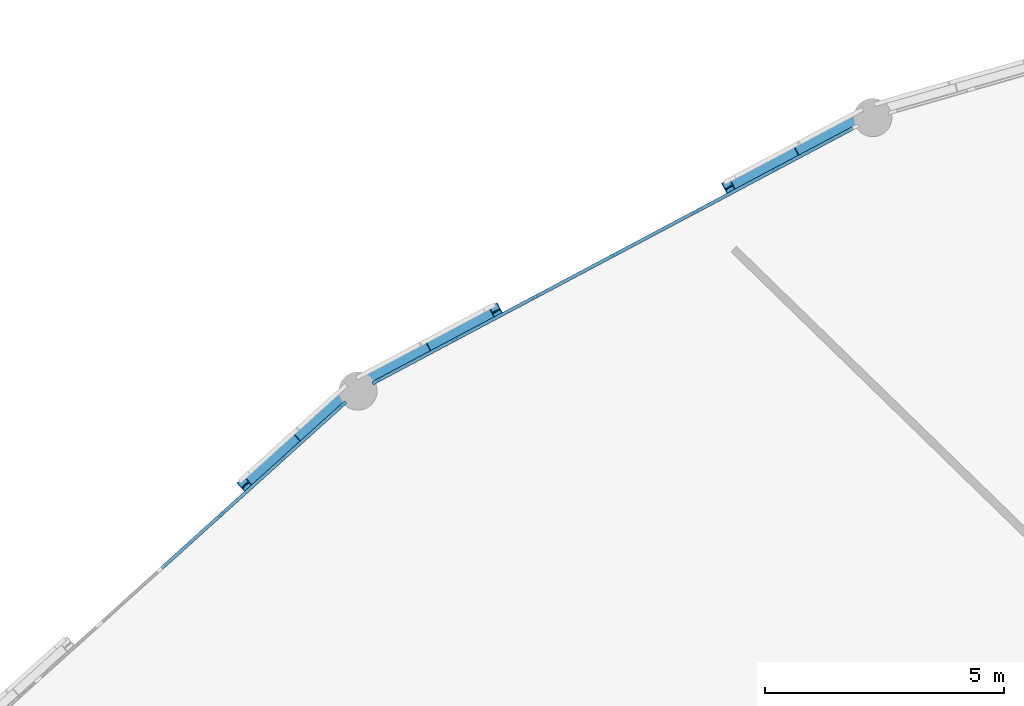
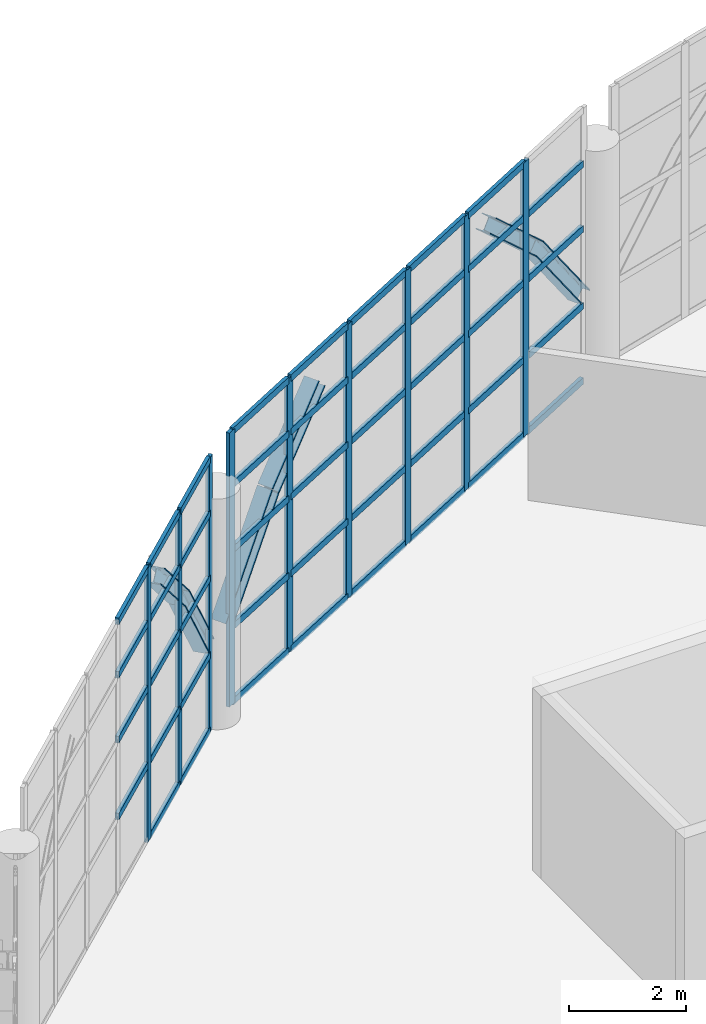
# One storey, part 37 of 109: 52 members, 6 beams, 2 elements without a shape of their own.
"""IFC4 building model written with IfcOpenShell, lengths in metres."""

from ifc_helpers import new_model, si_unit, direction, frame, origin, origin_2d, place, context, subcontext, project, spatial, rectangle, i_section, extrude, material, layer, layer_set, material_profile, profile_set, type_object, element, aggregate, save


model = new_model("IFC4")

# Units and contexts
model_context = context("Model", 3, precision=1e-05, world=origin(), true_north=direction((0.0, 1.0)))
body_context = subcontext(model_context, "Body", "Model", "MODEL_VIEW")
ifc_project = project(units=[si_unit("LENGTHUNIT", "METRE"), si_unit("AREAUNIT", "SQUARE_METRE"), si_unit("VOLUMEUNIT", "CUBIC_METRE"), si_unit("PLANEANGLEUNIT", "RADIAN"), si_unit("MASSUNIT", "GRAM", prefix="KILO")], contexts=[model_context])

# Site, building, storey
site_placement = place(None, origin())
site = spatial("IfcSite", under=ifc_project, at=site_placement, CompositionType="ELEMENT")
building_placement = place(site_placement, origin())
building = spatial("IfcBuilding", under=site, at=building_placement, Name="Kivolera Central Railway Station", CompositionType="ELEMENT")
storey_placement = place(building_placement, frame((0.0, 0.0, 9.60009765625)))
storey = spatial("IfcBuildingStorey", under=building, at=storey_placement, Name="L02", CompositionType="ELEMENT", Elevation=9.60009765625)

# Beams
ifc_material_1 = material(Name="Steel S355", Category="steel")
ifc_material_profile_1 = material_profile(ifc_material_1, i_section(OverallWidth=0.300048828125, OverallDepth=0.300048828125, WebThickness=0.010986328125, FlangeThickness=0.01904296875, FilletRadius=0.027099609375, at=origin_2d()), Name="HEB 300")
ifc_profile_set_1 = profile_set([ifc_material_profile_1], Name="Steel S355")
beam_type = type_object("IfcBeamType", Name="BM-LANT-ARCH", PredefinedType="SPANDREL", material=ifc_profile_set_1)
beam_1_placement = place(storey_placement, frame((37.6298828125, 121.115966796875, 1.699951171875), z_axis=(-0.545509681166, -0.289732540923, 0.786431333611), x_axis=(0.469067500221, -0.88316231817, 0.0)))
element("IfcBeam", 1, at=beam_1_placement, inside=storey, type_object=beam_type, Name="Oval Lantern Structural Arch Rib 09.1", PredefinedType="SPANDREL", context=body_context, shape_type="SweptSolid", body=[
    extrude(i_section(OverallWidth=0.300048828125, OverallDepth=0.300048828125, WebThickness=0.010986328125, FlangeThickness=0.01904296875, FilletRadius=0.027099609375, at=origin_2d()), origin(), (0.0, 0.0, 1.0), 2.415771484375),
])
beam_2_placement = place(storey_placement, frame((36.31201171875, 120.416015625, 3.599853515625), z_axis=(-0.65306159566, -0.346534813022, 0.673367786308), x_axis=(0.468728824497, -0.883342113275, 0.0)))
element("IfcBeam", 2, at=beam_2_placement, inside=storey, type_object=beam_type, Name="Oval Lantern Structural Arch Rib 09.2", PredefinedType="SPANDREL", context=body_context, shape_type="SweptSolid", body=[
    extrude(i_section(OverallWidth=0.300048828125, OverallDepth=0.300048828125, WebThickness=0.010986328125, FlangeThickness=0.01904296875, FilletRadius=0.027099609375, at=origin_2d()), origin(), (0.0, 0.0, 1.0), 2.019775390625),
])
beam_3_placement = place(storey_placement, frame((30.1240234375, 117.12890625, 4.9599609375), z_axis=(-0.652784182999, -0.346644240166, -0.673580419242), x_axis=(0.468999731448, -0.883198308367, 0.0)))
element("IfcBeam", 3, at=beam_3_placement, inside=storey, type_object=beam_type, Name="Oval Lantern Structural Arch Rib 09.5", PredefinedType="SPANDREL", context=body_context, shape_type="SweptSolid", body=[
    extrude(i_section(OverallWidth=0.300048828125, OverallDepth=0.300048828125, WebThickness=0.010986328125, FlangeThickness=0.01904296875, FilletRadius=0.027099609375, at=origin_2d()), origin(), (0.0, 0.0, 1.0), 2.019287109375),
])
beam_4_placement = place(storey_placement, frame((28.805908203125, 116.428955078125, 3.599853515625), z_axis=(-0.545793526842, -0.289668648918, -0.786257909271), x_axis=(0.468796526023, -0.883306185413, 0.0)))
element("IfcBeam", 4, at=beam_4_placement, inside=storey, type_object=beam_type, Name="Oval Lantern Structural Arch Rib 09.6", PredefinedType="SPANDREL", context=body_context, shape_type="SweptSolid", body=[
    extrude(i_section(OverallWidth=0.300048828125, OverallDepth=0.300048828125, WebThickness=0.010986328125, FlangeThickness=0.01904296875, FilletRadius=0.027099609375, at=origin_2d()), origin(), (0.0, 0.0, 1.0), 2.41650390625),
])
beam_5_placement = place(storey_placement, frame((26.885986328125, 115.306884765625, 1.699951171875), z_axis=(-0.431185404632, -0.388705114828, 0.814240431653), x_axis=(0.669571929078, -0.742747219309, 0.0)))
element("IfcBeam", 5, at=beam_5_placement, inside=storey, type_object=beam_type, Name="Oval Lantern Structural Arch Rib 10.1", PredefinedType="SPANDREL", context=body_context, shape_type="SweptSolid", body=[
    extrude(i_section(OverallWidth=0.300048828125, OverallDepth=0.300048828125, WebThickness=0.010986328125, FlangeThickness=0.01904296875, FilletRadius=0.027099609375, at=origin_2d()), origin(), (0.0, 0.0, 1.0), 2.333251953125),
])
beam_6_placement = place(storey_placement, frame((25.8798828125, 114.39990234375, 3.599853515625), z_axis=(-0.523541860039, -0.473044746716, 0.708613144382), x_axis=(0.670417548864, -0.741984036334, 0.0)))
element("IfcBeam", 6, at=beam_6_placement, inside=storey, type_object=beam_type, Name="Oval Lantern Structural Arch Rib 10.2", PredefinedType="SPANDREL", context=body_context, shape_type="SweptSolid", body=[
    extrude(i_section(OverallWidth=0.300048828125, OverallDepth=0.300048828125, WebThickness=0.010986328125, FlangeThickness=0.01904296875, FilletRadius=0.027099609375, at=origin_2d()), origin(), (0.0, 0.0, 1.0), 1.91943359375),
])

# Curtain wall, members
ifc_material_2 = material(Name="Anodised aluminium", Category="aluminium")
ifc_layer_1 = layer(ifc_material_2, 0.179931640625, Name="Anodised aluminium")
ifc_layer_set_1 = layer_set([ifc_layer_1], Name="Anodised aluminium")
curtain_wall_type_1 = type_object("IfcCurtainWallType", Name="CW-SYS-09", PredefinedType="NOTDEFINED", material=ifc_layer_set_1)
curtain_wall_1_placement = place(storey_placement, origin())
curtain_wall_1 = element("IfcCurtainWall", 7, at=curtain_wall_1_placement, inside=storey, type_object=curtain_wall_type_1, Name="L02 Curtain Wall CW-L02-OVL-08", PredefinedType="NOTDEFINED")
ifc_material_profile_2 = material_profile(ifc_material_2, rectangle(XDim=0.070068359375, YDim=0.179931640625, at=origin_2d()), Name="ALU MULL 70x180")
ifc_profile_set_2 = profile_set([ifc_material_profile_2], Name="Anodised aluminium")
member_type_1 = type_object("IfcMemberType", Name="CWM-MUL-1", PredefinedType="MULLION", material=ifc_profile_set_2)
member_1_placement = place(storey_placement, frame((27.614013671875, 115.660400390625, -0.005126953125), z_axis=(0.0, 0.0, 1.0), x_axis=(-0.469052563023, 0.883170251493, 0.0)))
member_1 = element("IfcMember", 8, at=member_1_placement, type_object=member_type_1, Name="CW-09 mullion 1", PredefinedType="MULLION", context=body_context, shape_type="SweptSolid", body=[
    extrude(rectangle(XDim=0.070068359375, YDim=0.179931640625, at=origin_2d()), origin(), (0.0, 0.0, 1.0), 5.705078125),
])
member_2_placement = place(storey_placement, frame((29.26025390625, 116.534912109375, -0.005126953125), z_axis=(0.0, 0.0, 1.0), x_axis=(-0.469052563023, 0.883170251493, 0.0)))
member_2 = element("IfcMember", 9, at=member_2_placement, type_object=member_type_1, Name="CW-09 mullion 2", PredefinedType="MULLION", context=body_context, shape_type="SweptSolid", body=[
    extrude(rectangle(XDim=0.070068359375, YDim=0.179931640625, at=origin_2d()), origin(), (0.0, 0.0, 1.0), 5.705078125),
])
member_3_placement = place(storey_placement, frame((30.937744140625, 117.42578125, -0.005126953125), z_axis=(0.0, 0.0, 1.0), x_axis=(-0.469052563023, 0.883170251493, 0.0)))
member_3 = element("IfcMember", 10, at=member_3_placement, type_object=member_type_1, Name="CW-09 mullion 3", PredefinedType="MULLION", context=body_context, shape_type="SweptSolid", body=[
    extrude(rectangle(XDim=0.070068359375, YDim=0.179931640625, at=origin_2d()), origin(), (0.0, 0.0, 1.0), 5.705078125),
])
member_4_placement = place(storey_placement, frame((32.614990234375, 118.31640625, -0.005126953125), z_axis=(0.0, 0.0, 1.0), x_axis=(-0.469052563023, 0.883170251493, 0.0)))
member_4 = element("IfcMember", 11, at=member_4_placement, type_object=member_type_1, Name="CW-09 mullion 4", PredefinedType="MULLION", context=body_context, shape_type="SweptSolid", body=[
    extrude(rectangle(XDim=0.070068359375, YDim=0.179931640625, at=origin_2d()), origin(), (0.0, 0.0, 1.0), 5.705078125),
])
member_5_placement = place(storey_placement, frame((34.292236328125, 119.207275390625, -0.005126953125), z_axis=(0.0, 0.0, 1.0), x_axis=(-0.469052563023, 0.883170251493, 0.0)))
member_5 = element("IfcMember", 12, at=member_5_placement, type_object=member_type_1, Name="CW-09 mullion 5", PredefinedType="MULLION", context=body_context, shape_type="SweptSolid", body=[
    extrude(rectangle(XDim=0.070068359375, YDim=0.179931640625, at=origin_2d()), origin(), (0.0, 0.0, 1.0), 5.705078125),
])
member_6_placement = place(storey_placement, frame((35.9697265625, 120.09814453125, -0.005126953125), z_axis=(0.0, 0.0, 1.0), x_axis=(-0.469052563023, 0.883170251493, 0.0)))
member_6 = element("IfcMember", 13, at=member_6_placement, type_object=member_type_1, Name="CW-09 mullion 6", PredefinedType="MULLION", context=body_context, shape_type="SweptSolid", body=[
    extrude(rectangle(XDim=0.070068359375, YDim=0.179931640625, at=origin_2d()), origin(), (0.0, 0.0, 1.0), 5.705078125),
])

ifc_layer_2 = layer(ifc_material_2, 0.179931640625, Name="Anodised aluminium")
ifc_layer_set_2 = layer_set([ifc_layer_2], Name="Anodised aluminium")
curtain_wall_type_2 = type_object("IfcCurtainWallType", Name="CW-SYS-06", PredefinedType="NOTDEFINED", material=ifc_layer_set_2)
curtain_wall_2_placement = place(storey_placement, origin())
curtain_wall_2 = element("IfcCurtainWall", 14, at=curtain_wall_2_placement, inside=storey, type_object=curtain_wall_type_2, Name="L02 Curtain Wall CW-L02-OVL-09", PredefinedType="NOTDEFINED")
member_7_placement = place(storey_placement, frame((24.376708984375, 112.88134765625, -0.005126953125), z_axis=(0.0, 0.0, 1.0), x_axis=(-0.66992157428, 0.742431871833, 0.0)))
member_7 = element("IfcMember", 15, at=member_7_placement, type_object=member_type_1, Name="CW-06 mullion 5", PredefinedType="MULLION", context=body_context, shape_type="SweptSolid", body=[
    extrude(rectangle(XDim=0.070068359375, YDim=0.179931640625, at=origin_2d()), origin(), (0.0, 0.0, 1.0), 5.705078125),
])
member_8_placement = place(storey_placement, frame((25.65478515625, 114.03466796875, -0.005126953125), z_axis=(0.0, 0.0, 1.0), x_axis=(-0.66992157428, 0.742431871833, 0.0)))
member_8 = element("IfcMember", 16, at=member_8_placement, type_object=member_type_1, Name="CW-06 mullion 6", PredefinedType="MULLION", context=body_context, shape_type="SweptSolid", body=[
    extrude(rectangle(XDim=0.070068359375, YDim=0.179931640625, at=origin_2d()), origin(), (0.0, 0.0, 1.0), 5.705078125),
])
member_9_placement = place(storey_placement, frame((26.906982421875, 115.16455078125, -0.005126953125), z_axis=(0.0, 0.0, 1.0), x_axis=(-0.66992157428, 0.742431871833, 0.0)))
member_9 = element("IfcMember", 17, at=member_9_placement, type_object=member_type_1, Name="CW-06 mullion 7", PredefinedType="MULLION", context=body_context, shape_type="SweptSolid", body=[
    extrude(rectangle(XDim=0.070068359375, YDim=0.179931640625, at=origin_2d()), origin(), (0.0, 0.0, 1.0), 5.705078125),
])

# Member
ifc_material_profile_3 = material_profile(ifc_material_2, rectangle(XDim=0.070068359375, YDim=0.139892578125, at=origin_2d()), Name="ALU TRAN 70x140")
ifc_profile_set_3 = profile_set([ifc_material_profile_3], Name="Anodised aluminium")
member_type_2 = type_object("IfcMemberType", Name="CWM-TRN-1", PredefinedType="USERDEFINED", material=ifc_profile_set_3)
member_10_placement = place(storey_placement, frame((27.644775390625, 115.6767578125, 0.034912109375), z_axis=(0.883191460259, 0.469012627255, 0.0), x_axis=(-0.469012627255, 0.883191460259, 0.0)))
member_10 = element("IfcMember", 18, at=member_10_placement, type_object=member_type_2, Name="CW-09 transom 1.1", ObjectType="TRANSOM", PredefinedType="USERDEFINED", context=body_context, shape_type="SweptSolid", body=[
    extrude(rectangle(XDim=0.070068359375, YDim=0.139892578125, at=origin_2d()), origin(), (0.0, 0.0, 1.0), 1.794189453125),
])

member_11_placement = place(storey_placement, frame((27.644775390625, 115.6767578125, 1.599853515625), z_axis=(0.883191460259, 0.469012627255, 0.0), x_axis=(-0.469012627255, 0.883191460259, 0.0)))
member_11 = element("IfcMember", 19, at=member_11_placement, type_object=member_type_2, Name="CW-09 transom 1.2", ObjectType="TRANSOM", PredefinedType="USERDEFINED", context=body_context, shape_type="SweptSolid", body=[
    extrude(rectangle(XDim=0.070068359375, YDim=0.139892578125, at=origin_2d()), origin(), (0.0, 0.0, 1.0), 1.794189453125),
])

member_12_placement = place(storey_placement, frame((27.644775390625, 115.6767578125, 3.199951171875), z_axis=(0.883191460259, 0.469012627255, 0.0), x_axis=(-0.469012627255, 0.883191460259, 0.0)))
member_12 = element("IfcMember", 20, at=member_12_placement, type_object=member_type_2, Name="CW-09 transom 1.3", ObjectType="TRANSOM", PredefinedType="USERDEFINED", context=body_context, shape_type="SweptSolid", body=[
    extrude(rectangle(XDim=0.070068359375, YDim=0.139892578125, at=origin_2d()), origin(), (0.0, 0.0, 1.0), 1.794189453125),
])

member_13_placement = place(storey_placement, frame((27.644775390625, 115.6767578125, 4.5498046875), z_axis=(0.883191460259, 0.469012627255, 0.0), x_axis=(-0.469012627255, 0.883191460259, 0.0)))
member_13 = element("IfcMember", 21, at=member_13_placement, type_object=member_type_2, Name="CW-09 transom 1.4", ObjectType="TRANSOM", PredefinedType="USERDEFINED", context=body_context, shape_type="SweptSolid", body=[
    extrude(rectangle(XDim=0.070068359375, YDim=0.139892578125, at=origin_2d()), origin(), (0.0, 0.0, 1.0), 1.794189453125),
])

member_14_placement = place(storey_placement, frame((27.644775390625, 115.6767578125, 5.664794921875), z_axis=(0.883191460259, 0.469012627255, 0.0), x_axis=(-0.469012627255, 0.883191460259, 0.0)))
member_14 = element("IfcMember", 22, at=member_14_placement, type_object=member_type_2, Name="CW-09 transom 1.5", ObjectType="TRANSOM", PredefinedType="USERDEFINED", context=body_context, shape_type="SweptSolid", body=[
    extrude(rectangle(XDim=0.070068359375, YDim=0.139892578125, at=origin_2d()), origin(), (0.0, 0.0, 1.0), 1.794189453125),
])

member_15_placement = place(storey_placement, frame((29.291259765625, 116.55126953125, 0.034912109375), z_axis=(0.88318656257, 0.469021849913, 0.0), x_axis=(-0.469021849913, 0.88318656257, 0.0)))
member_15 = element("IfcMember", 23, at=member_15_placement, type_object=member_type_2, Name="CW-09 transom 2.1", ObjectType="TRANSOM", PredefinedType="USERDEFINED", context=body_context, shape_type="SweptSolid", body=[
    extrude(rectangle(XDim=0.070068359375, YDim=0.139892578125, at=origin_2d()), origin(), (0.0, 0.0, 1.0), 1.8291015625),
])

member_16_placement = place(storey_placement, frame((29.291259765625, 116.55126953125, 1.599853515625), z_axis=(0.88318656257, 0.469021849913, 0.0), x_axis=(-0.469021849913, 0.88318656257, 0.0)))
member_16 = element("IfcMember", 24, at=member_16_placement, type_object=member_type_2, Name="CW-09 transom 2.2", ObjectType="TRANSOM", PredefinedType="USERDEFINED", context=body_context, shape_type="SweptSolid", body=[
    extrude(rectangle(XDim=0.070068359375, YDim=0.139892578125, at=origin_2d()), origin(), (0.0, 0.0, 1.0), 1.8291015625),
])

member_17_placement = place(storey_placement, frame((29.291259765625, 116.55126953125, 3.199951171875), z_axis=(0.88318656257, 0.469021849913, 0.0), x_axis=(-0.469021849913, 0.88318656257, 0.0)))
member_17 = element("IfcMember", 25, at=member_17_placement, type_object=member_type_2, Name="CW-09 transom 2.3", ObjectType="TRANSOM", PredefinedType="USERDEFINED", context=body_context, shape_type="SweptSolid", body=[
    extrude(rectangle(XDim=0.070068359375, YDim=0.139892578125, at=origin_2d()), origin(), (0.0, 0.0, 1.0), 1.8291015625),
])

member_18_placement = place(storey_placement, frame((29.291259765625, 116.55126953125, 4.5498046875), z_axis=(0.88318656257, 0.469021849913, 0.0), x_axis=(-0.469021849913, 0.88318656257, 0.0)))
member_18 = element("IfcMember", 26, at=member_18_placement, type_object=member_type_2, Name="CW-09 transom 2.4", ObjectType="TRANSOM", PredefinedType="USERDEFINED", context=body_context, shape_type="SweptSolid", body=[
    extrude(rectangle(XDim=0.070068359375, YDim=0.139892578125, at=origin_2d()), origin(), (0.0, 0.0, 1.0), 1.8291015625),
])

member_19_placement = place(storey_placement, frame((29.291259765625, 116.55126953125, 5.664794921875), z_axis=(0.88318656257, 0.469021849913, 0.0), x_axis=(-0.469021849913, 0.88318656257, 0.0)))
member_19 = element("IfcMember", 27, at=member_19_placement, type_object=member_type_2, Name="CW-09 transom 2.5", ObjectType="TRANSOM", PredefinedType="USERDEFINED", context=body_context, shape_type="SweptSolid", body=[
    extrude(rectangle(XDim=0.070068359375, YDim=0.139892578125, at=origin_2d()), origin(), (0.0, 0.0, 1.0), 1.8291015625),
])

member_20_placement = place(storey_placement, frame((30.968505859375, 117.442138671875, 0.034912109375), z_axis=(0.88318656257, 0.469021849913, 0.0), x_axis=(-0.469021849913, 0.88318656257, 0.0)))
member_20 = element("IfcMember", 28, at=member_20_placement, type_object=member_type_2, Name="CW-09 transom 3.1", ObjectType="TRANSOM", PredefinedType="USERDEFINED", context=body_context, shape_type="SweptSolid", body=[
    extrude(rectangle(XDim=0.070068359375, YDim=0.139892578125, at=origin_2d()), origin(), (0.0, 0.0, 1.0), 1.8291015625),
])

member_21_placement = place(storey_placement, frame((30.968505859375, 117.442138671875, 1.599853515625), z_axis=(0.88318656257, 0.469021849913, 0.0), x_axis=(-0.469021849913, 0.88318656257, 0.0)))
member_21 = element("IfcMember", 29, at=member_21_placement, type_object=member_type_2, Name="CW-09 transom 3.2", ObjectType="TRANSOM", PredefinedType="USERDEFINED", context=body_context, shape_type="SweptSolid", body=[
    extrude(rectangle(XDim=0.070068359375, YDim=0.139892578125, at=origin_2d()), origin(), (0.0, 0.0, 1.0), 1.8291015625),
])

member_22_placement = place(storey_placement, frame((30.968505859375, 117.442138671875, 3.199951171875), z_axis=(0.88318656257, 0.469021849913, 0.0), x_axis=(-0.469021849913, 0.88318656257, 0.0)))
member_22 = element("IfcMember", 30, at=member_22_placement, type_object=member_type_2, Name="CW-09 transom 3.3", ObjectType="TRANSOM", PredefinedType="USERDEFINED", context=body_context, shape_type="SweptSolid", body=[
    extrude(rectangle(XDim=0.070068359375, YDim=0.139892578125, at=origin_2d()), origin(), (0.0, 0.0, 1.0), 1.8291015625),
])

member_23_placement = place(storey_placement, frame((30.968505859375, 117.442138671875, 4.5498046875), z_axis=(0.88318656257, 0.469021849913, 0.0), x_axis=(-0.469021849913, 0.88318656257, 0.0)))
member_23 = element("IfcMember", 31, at=member_23_placement, type_object=member_type_2, Name="CW-09 transom 3.4", ObjectType="TRANSOM", PredefinedType="USERDEFINED", context=body_context, shape_type="SweptSolid", body=[
    extrude(rectangle(XDim=0.070068359375, YDim=0.139892578125, at=origin_2d()), origin(), (0.0, 0.0, 1.0), 1.8291015625),
])

member_24_placement = place(storey_placement, frame((30.968505859375, 117.442138671875, 5.664794921875), z_axis=(0.88318656257, 0.469021849913, 0.0), x_axis=(-0.469021849913, 0.88318656257, 0.0)))
member_24 = element("IfcMember", 32, at=member_24_placement, type_object=member_type_2, Name="CW-09 transom 3.5", ObjectType="TRANSOM", PredefinedType="USERDEFINED", context=body_context, shape_type="SweptSolid", body=[
    extrude(rectangle(XDim=0.070068359375, YDim=0.139892578125, at=origin_2d()), origin(), (0.0, 0.0, 1.0), 1.8291015625),
])

member_25_placement = place(storey_placement, frame((32.64599609375, 118.3330078125, 0.034912109375), z_axis=(0.88318656257, 0.469021849913, 0.0), x_axis=(-0.469021849913, 0.88318656257, 0.0)))
member_25 = element("IfcMember", 33, at=member_25_placement, type_object=member_type_2, Name="CW-09 transom 4.1", ObjectType="TRANSOM", PredefinedType="USERDEFINED", context=body_context, shape_type="SweptSolid", body=[
    extrude(rectangle(XDim=0.070068359375, YDim=0.139892578125, at=origin_2d()), origin(), (0.0, 0.0, 1.0), 1.8291015625),
])

member_26_placement = place(storey_placement, frame((32.64599609375, 118.3330078125, 1.599853515625), z_axis=(0.88318656257, 0.469021849913, 0.0), x_axis=(-0.469021849913, 0.88318656257, 0.0)))
member_26 = element("IfcMember", 34, at=member_26_placement, type_object=member_type_2, Name="CW-09 transom 4.2", ObjectType="TRANSOM", PredefinedType="USERDEFINED", context=body_context, shape_type="SweptSolid", body=[
    extrude(rectangle(XDim=0.070068359375, YDim=0.139892578125, at=origin_2d()), origin(), (0.0, 0.0, 1.0), 1.8291015625),
])

member_27_placement = place(storey_placement, frame((32.64599609375, 118.3330078125, 3.199951171875), z_axis=(0.88318656257, 0.469021849913, 0.0), x_axis=(-0.469021849913, 0.88318656257, 0.0)))
member_27 = element("IfcMember", 35, at=member_27_placement, type_object=member_type_2, Name="CW-09 transom 4.3", ObjectType="TRANSOM", PredefinedType="USERDEFINED", context=body_context, shape_type="SweptSolid", body=[
    extrude(rectangle(XDim=0.070068359375, YDim=0.139892578125, at=origin_2d()), origin(), (0.0, 0.0, 1.0), 1.8291015625),
])

member_28_placement = place(storey_placement, frame((32.64599609375, 118.3330078125, 4.5498046875), z_axis=(0.88318656257, 0.469021849913, 0.0), x_axis=(-0.469021849913, 0.88318656257, 0.0)))
member_28 = element("IfcMember", 36, at=member_28_placement, type_object=member_type_2, Name="CW-09 transom 4.4", ObjectType="TRANSOM", PredefinedType="USERDEFINED", context=body_context, shape_type="SweptSolid", body=[
    extrude(rectangle(XDim=0.070068359375, YDim=0.139892578125, at=origin_2d()), origin(), (0.0, 0.0, 1.0), 1.8291015625),
])

member_29_placement = place(storey_placement, frame((32.64599609375, 118.3330078125, 5.664794921875), z_axis=(0.88318656257, 0.469021849913, 0.0), x_axis=(-0.469021849913, 0.88318656257, 0.0)))
member_29 = element("IfcMember", 37, at=member_29_placement, type_object=member_type_2, Name="CW-09 transom 4.5", ObjectType="TRANSOM", PredefinedType="USERDEFINED", context=body_context, shape_type="SweptSolid", body=[
    extrude(rectangle(XDim=0.070068359375, YDim=0.139892578125, at=origin_2d()), origin(), (0.0, 0.0, 1.0), 1.8291015625),
])

member_30_placement = place(storey_placement, frame((34.3232421875, 119.2236328125, 0.034912109375), z_axis=(0.883131271136, 0.469125951042, 0.0), x_axis=(-0.469125951042, 0.883131271136, 0.0)))
member_30 = element("IfcMember", 38, at=member_30_placement, type_object=member_type_2, Name="CW-09 transom 5.1", ObjectType="TRANSOM", PredefinedType="USERDEFINED", context=body_context, shape_type="SweptSolid", body=[
    extrude(rectangle(XDim=0.070068359375, YDim=0.139892578125, at=origin_2d()), origin(), (0.0, 0.0, 1.0), 1.829345703125),
])

member_31_placement = place(storey_placement, frame((34.3232421875, 119.2236328125, 1.599853515625), z_axis=(0.883131271136, 0.469125951042, 0.0), x_axis=(-0.469125951042, 0.883131271136, 0.0)))
member_31 = element("IfcMember", 39, at=member_31_placement, type_object=member_type_2, Name="CW-09 transom 5.2", ObjectType="TRANSOM", PredefinedType="USERDEFINED", context=body_context, shape_type="SweptSolid", body=[
    extrude(rectangle(XDim=0.070068359375, YDim=0.139892578125, at=origin_2d()), origin(), (0.0, 0.0, 1.0), 1.829345703125),
])

member_32_placement = place(storey_placement, frame((34.3232421875, 119.2236328125, 3.199951171875), z_axis=(0.883131271136, 0.469125951042, 0.0), x_axis=(-0.469125951042, 0.883131271136, 0.0)))
member_32 = element("IfcMember", 40, at=member_32_placement, type_object=member_type_2, Name="CW-09 transom 5.3", ObjectType="TRANSOM", PredefinedType="USERDEFINED", context=body_context, shape_type="SweptSolid", body=[
    extrude(rectangle(XDim=0.070068359375, YDim=0.139892578125, at=origin_2d()), origin(), (0.0, 0.0, 1.0), 1.829345703125),
])

member_33_placement = place(storey_placement, frame((34.3232421875, 119.2236328125, 4.5498046875), z_axis=(0.883131271136, 0.469125951042, 0.0), x_axis=(-0.469125951042, 0.883131271136, 0.0)))
member_33 = element("IfcMember", 41, at=member_33_placement, type_object=member_type_2, Name="CW-09 transom 5.4", ObjectType="TRANSOM", PredefinedType="USERDEFINED", context=body_context, shape_type="SweptSolid", body=[
    extrude(rectangle(XDim=0.070068359375, YDim=0.139892578125, at=origin_2d()), origin(), (0.0, 0.0, 1.0), 1.829345703125),
])

member_34_placement = place(storey_placement, frame((34.3232421875, 119.2236328125, 5.664794921875), z_axis=(0.883131271136, 0.469125951042, 0.0), x_axis=(-0.469125951042, 0.883131271136, 0.0)))
member_34 = element("IfcMember", 42, at=member_34_placement, type_object=member_type_2, Name="CW-09 transom 5.5", ObjectType="TRANSOM", PredefinedType="USERDEFINED", context=body_context, shape_type="SweptSolid", body=[
    extrude(rectangle(XDim=0.070068359375, YDim=0.139892578125, at=origin_2d()), origin(), (0.0, 0.0, 1.0), 1.829345703125),
])

member_35_placement = place(storey_placement, frame((36.00048828125, 120.114501953125, 0.034912109375), z_axis=(0.883191460259, 0.469012627255, 0.0), x_axis=(-0.469012627255, 0.883191460259, 0.0)))
member_35 = element("IfcMember", 43, at=member_35_placement, type_object=member_type_2, Name="CW-09 transom 6.1", ObjectType="TRANSOM", PredefinedType="USERDEFINED", context=body_context, shape_type="SweptSolid", body=[
    extrude(rectangle(XDim=0.070068359375, YDim=0.139892578125, at=origin_2d()), origin(), (0.0, 0.0, 1.0), 1.794189453125),
])

member_36_placement = place(storey_placement, frame((36.00048828125, 120.114501953125, 1.599853515625), z_axis=(0.883191460259, 0.469012627255, 0.0), x_axis=(-0.469012627255, 0.883191460259, 0.0)))
member_36 = element("IfcMember", 44, at=member_36_placement, type_object=member_type_2, Name="CW-09 transom 6.2", ObjectType="TRANSOM", PredefinedType="USERDEFINED", context=body_context, shape_type="SweptSolid", body=[
    extrude(rectangle(XDim=0.070068359375, YDim=0.139892578125, at=origin_2d()), origin(), (0.0, 0.0, 1.0), 1.794189453125),
])

member_37_placement = place(storey_placement, frame((36.00048828125, 120.114501953125, 3.199951171875), z_axis=(0.883191460259, 0.469012627255, 0.0), x_axis=(-0.469012627255, 0.883191460259, 0.0)))
member_37 = element("IfcMember", 45, at=member_37_placement, type_object=member_type_2, Name="CW-09 transom 6.3", ObjectType="TRANSOM", PredefinedType="USERDEFINED", context=body_context, shape_type="SweptSolid", body=[
    extrude(rectangle(XDim=0.070068359375, YDim=0.139892578125, at=origin_2d()), origin(), (0.0, 0.0, 1.0), 1.794189453125),
])

member_38_placement = place(storey_placement, frame((36.00048828125, 120.114501953125, 4.5498046875), z_axis=(0.883191460259, 0.469012627255, 0.0), x_axis=(-0.469012627255, 0.883191460259, 0.0)))
member_38 = element("IfcMember", 46, at=member_38_placement, type_object=member_type_2, Name="CW-09 transom 6.4", ObjectType="TRANSOM", PredefinedType="USERDEFINED", context=body_context, shape_type="SweptSolid", body=[
    extrude(rectangle(XDim=0.070068359375, YDim=0.139892578125, at=origin_2d()), origin(), (0.0, 0.0, 1.0), 1.794189453125),
])

aggregate(curtain_wall_1, [member_1, member_2, member_3, member_4, member_5, member_6, member_10, member_11, member_12, member_13, member_14, member_15, member_16, member_17, member_18, member_19, member_20, member_21, member_22, member_23, member_24, member_25, member_26, member_27, member_28, member_29, member_30, member_31, member_32, member_33, member_34, member_35, member_36, member_37, member_38])

member_39_placement = place(storey_placement, frame((23.12451171875, 111.75146484375, 1.599853515625), z_axis=(0.742396704206, 0.669960546289, 0.0), x_axis=(-0.669960546289, 0.742396704206, 0.0)))
member_39 = element("IfcMember", 47, at=member_39_placement, type_object=member_type_2, Name="CW-06 transom 4.2", ObjectType="TRANSOM", PredefinedType="USERDEFINED", context=body_context, shape_type="SweptSolid", body=[
    extrude(rectangle(XDim=0.070068359375, YDim=0.139892578125, at=origin_2d()), origin(), (0.0, 0.0, 1.0), 1.651611328125),
])

member_40_placement = place(storey_placement, frame((23.12451171875, 111.75146484375, 3.199951171875), z_axis=(0.742396704206, 0.669960546289, 0.0), x_axis=(-0.669960546289, 0.742396704206, 0.0)))
member_40 = element("IfcMember", 48, at=member_40_placement, type_object=member_type_2, Name="CW-06 transom 4.3", ObjectType="TRANSOM", PredefinedType="USERDEFINED", context=body_context, shape_type="SweptSolid", body=[
    extrude(rectangle(XDim=0.070068359375, YDim=0.139892578125, at=origin_2d()), origin(), (0.0, 0.0, 1.0), 1.651611328125),
])

member_41_placement = place(storey_placement, frame((23.12451171875, 111.75146484375, 4.5498046875), z_axis=(0.742396704206, 0.669960546289, 0.0), x_axis=(-0.669960546289, 0.742396704206, 0.0)))
member_41 = element("IfcMember", 49, at=member_41_placement, type_object=member_type_2, Name="CW-06 transom 4.4", ObjectType="TRANSOM", PredefinedType="USERDEFINED", context=body_context, shape_type="SweptSolid", body=[
    extrude(rectangle(XDim=0.070068359375, YDim=0.139892578125, at=origin_2d()), origin(), (0.0, 0.0, 1.0), 1.651611328125),
])

member_42_placement = place(storey_placement, frame((23.12451171875, 111.75146484375, 5.664794921875), z_axis=(0.742396704206, 0.669960546289, 0.0), x_axis=(-0.669960546289, 0.742396704206, 0.0)))
member_42 = element("IfcMember", 50, at=member_42_placement, type_object=member_type_2, Name="CW-06 transom 4.5", ObjectType="TRANSOM", PredefinedType="USERDEFINED", context=body_context, shape_type="SweptSolid", body=[
    extrude(rectangle(XDim=0.070068359375, YDim=0.139892578125, at=origin_2d()), origin(), (0.0, 0.0, 1.0), 1.651611328125),
])

member_43_placement = place(storey_placement, frame((24.402587890625, 112.90478515625, 0.034912109375), z_axis=(0.74246304586, 0.669887024455, 0.0), x_axis=(-0.669887024455, 0.74246304586, 0.0)))
member_43 = element("IfcMember", 51, at=member_43_placement, type_object=member_type_2, Name="CW-06 transom 5.1", ObjectType="TRANSOM", PredefinedType="USERDEFINED", context=body_context, shape_type="SweptSolid", body=[
    extrude(rectangle(XDim=0.070068359375, YDim=0.139892578125, at=origin_2d()), origin(), (0.0, 0.0, 1.0), 1.651611328125),
])

member_44_placement = place(storey_placement, frame((24.402587890625, 112.90478515625, 1.599853515625), z_axis=(0.74246304586, 0.669887024455, 0.0), x_axis=(-0.669887024455, 0.74246304586, 0.0)))
member_44 = element("IfcMember", 52, at=member_44_placement, type_object=member_type_2, Name="CW-06 transom 5.2", ObjectType="TRANSOM", PredefinedType="USERDEFINED", context=body_context, shape_type="SweptSolid", body=[
    extrude(rectangle(XDim=0.070068359375, YDim=0.139892578125, at=origin_2d()), origin(), (0.0, 0.0, 1.0), 1.651611328125),
])

member_45_placement = place(storey_placement, frame((24.402587890625, 112.90478515625, 3.199951171875), z_axis=(0.74246304586, 0.669887024455, 0.0), x_axis=(-0.669887024455, 0.74246304586, 0.0)))
member_45 = element("IfcMember", 53, at=member_45_placement, type_object=member_type_2, Name="CW-06 transom 5.3", ObjectType="TRANSOM", PredefinedType="USERDEFINED", context=body_context, shape_type="SweptSolid", body=[
    extrude(rectangle(XDim=0.070068359375, YDim=0.139892578125, at=origin_2d()), origin(), (0.0, 0.0, 1.0), 1.651611328125),
])

member_46_placement = place(storey_placement, frame((24.402587890625, 112.90478515625, 4.5498046875), z_axis=(0.74246304586, 0.669887024455, 0.0), x_axis=(-0.669887024455, 0.74246304586, 0.0)))
member_46 = element("IfcMember", 54, at=member_46_placement, type_object=member_type_2, Name="CW-06 transom 5.4", ObjectType="TRANSOM", PredefinedType="USERDEFINED", context=body_context, shape_type="SweptSolid", body=[
    extrude(rectangle(XDim=0.070068359375, YDim=0.139892578125, at=origin_2d()), origin(), (0.0, 0.0, 1.0), 1.651611328125),
])

member_47_placement = place(storey_placement, frame((24.402587890625, 112.90478515625, 5.664794921875), z_axis=(0.74246304586, 0.669887024455, 0.0), x_axis=(-0.669887024455, 0.74246304586, 0.0)))
member_47 = element("IfcMember", 55, at=member_47_placement, type_object=member_type_2, Name="CW-06 transom 5.5", ObjectType="TRANSOM", PredefinedType="USERDEFINED", context=body_context, shape_type="SweptSolid", body=[
    extrude(rectangle(XDim=0.070068359375, YDim=0.139892578125, at=origin_2d()), origin(), (0.0, 0.0, 1.0), 1.651611328125),
])

member_48_placement = place(storey_placement, frame((25.680908203125, 114.05810546875, 0.034912109375), z_axis=(0.742422429893, 0.66993203804, 0.0), x_axis=(-0.66993203804, 0.742422429893, 0.0)))
member_48 = element("IfcMember", 56, at=member_48_placement, type_object=member_type_2, Name="CW-06 transom 6.1", ObjectType="TRANSOM", PredefinedType="USERDEFINED", context=body_context, shape_type="SweptSolid", body=[
    extrude(rectangle(XDim=0.070068359375, YDim=0.139892578125, at=origin_2d()), origin(), (0.0, 0.0, 1.0), 1.61669921875),
])

member_49_placement = place(storey_placement, frame((25.680908203125, 114.05810546875, 1.599853515625), z_axis=(0.742422429893, 0.66993203804, 0.0), x_axis=(-0.66993203804, 0.742422429893, 0.0)))
member_49 = element("IfcMember", 57, at=member_49_placement, type_object=member_type_2, Name="CW-06 transom 6.2", ObjectType="TRANSOM", PredefinedType="USERDEFINED", context=body_context, shape_type="SweptSolid", body=[
    extrude(rectangle(XDim=0.070068359375, YDim=0.139892578125, at=origin_2d()), origin(), (0.0, 0.0, 1.0), 1.61669921875),
])

member_50_placement = place(storey_placement, frame((25.680908203125, 114.05810546875, 3.199951171875), z_axis=(0.742422429893, 0.66993203804, 0.0), x_axis=(-0.66993203804, 0.742422429893, 0.0)))
member_50 = element("IfcMember", 58, at=member_50_placement, type_object=member_type_2, Name="CW-06 transom 6.3", ObjectType="TRANSOM", PredefinedType="USERDEFINED", context=body_context, shape_type="SweptSolid", body=[
    extrude(rectangle(XDim=0.070068359375, YDim=0.139892578125, at=origin_2d()), origin(), (0.0, 0.0, 1.0), 1.61669921875),
])

member_51_placement = place(storey_placement, frame((25.680908203125, 114.05810546875, 4.5498046875), z_axis=(0.742422429893, 0.66993203804, 0.0), x_axis=(-0.66993203804, 0.742422429893, 0.0)))
member_51 = element("IfcMember", 59, at=member_51_placement, type_object=member_type_2, Name="CW-06 transom 6.4", ObjectType="TRANSOM", PredefinedType="USERDEFINED", context=body_context, shape_type="SweptSolid", body=[
    extrude(rectangle(XDim=0.070068359375, YDim=0.139892578125, at=origin_2d()), origin(), (0.0, 0.0, 1.0), 1.61669921875),
])

member_52_placement = place(storey_placement, frame((25.680908203125, 114.05810546875, 5.664794921875), z_axis=(0.742422429893, 0.66993203804, 0.0), x_axis=(-0.66993203804, 0.742422429893, 0.0)))
member_52 = element("IfcMember", 60, at=member_52_placement, type_object=member_type_2, Name="CW-06 transom 6.5", ObjectType="TRANSOM", PredefinedType="USERDEFINED", context=body_context, shape_type="SweptSolid", body=[
    extrude(rectangle(XDim=0.070068359375, YDim=0.139892578125, at=origin_2d()), origin(), (0.0, 0.0, 1.0), 1.61669921875),
])

aggregate(curtain_wall_2, [member_7, member_8, member_9, member_39, member_40, member_41, member_42, member_43, member_44, member_45, member_46, member_47, member_48, member_49, member_50, member_51, member_52])

save(model, "model.ifc")
